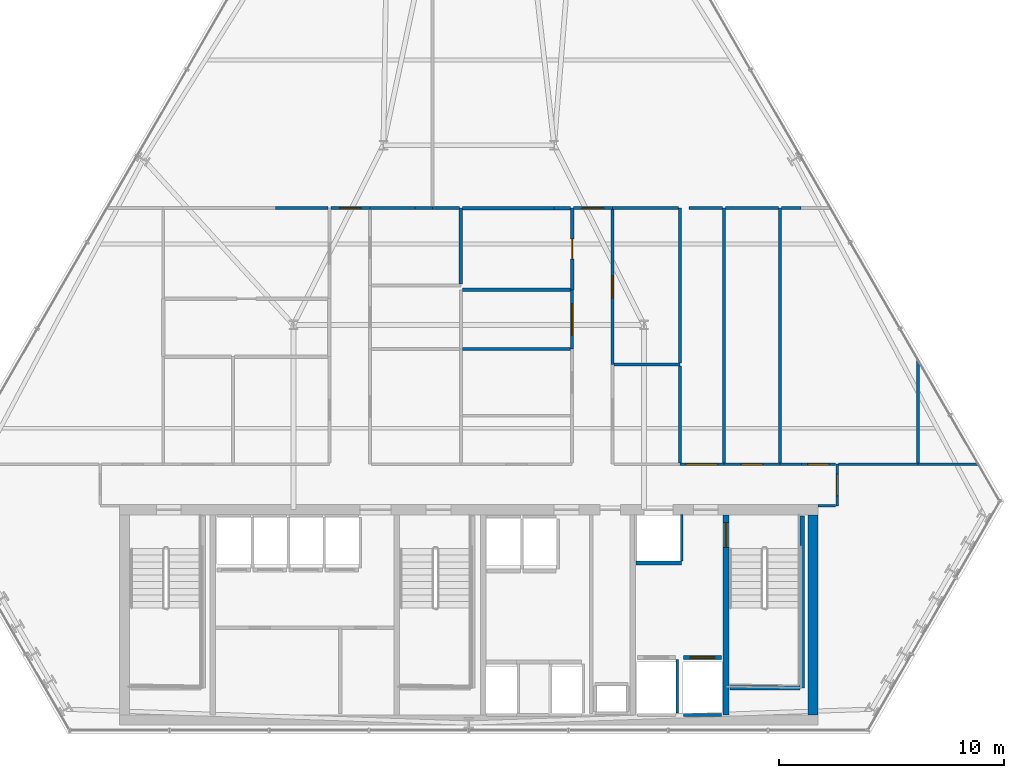
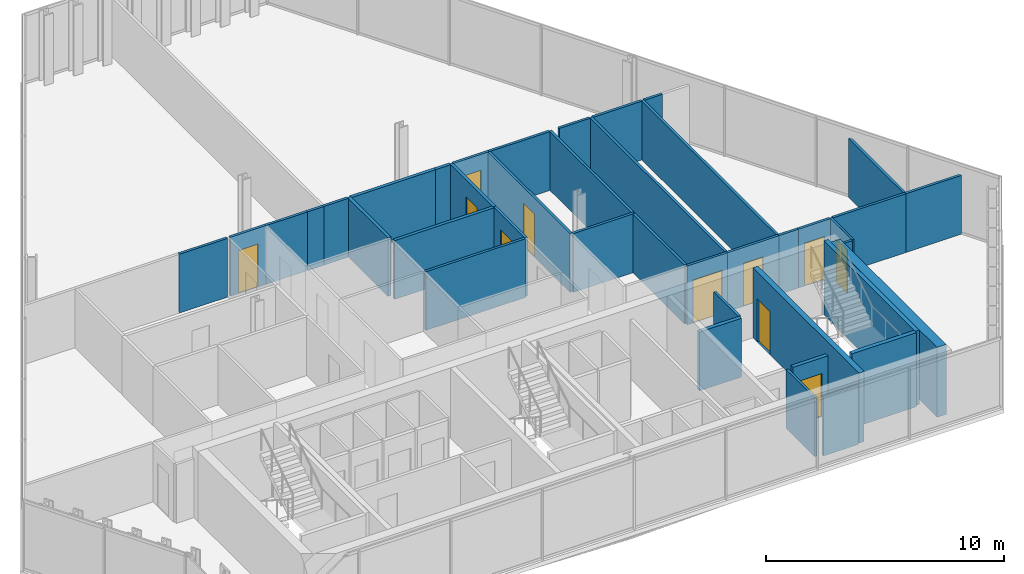
# One storey, part 27 of 31: 41 walls, 11 doors, 11 openings.
"""IFC4 building model written with IfcOpenShell, lengths in metres."""

import ifcopenshell
import ifcopenshell.guid

model = None  # the IFC model being written
_history = None  # IfcOwnerHistory: only IFC2X3 demands one
_inside = {}  # id of a spatial element -> (the spatial element, [elements in it])
_under = {}  # id of a project, library or spatial element -> (it, [spatial elements below it])
_declared = {}  # id of a project -> (the project, [libraries it declares])
_typed = {}  # id of a type object -> (the type object, [elements of that type])
_made_of = {}  # id of a material, layer set ... -> (it, [elements and type objects made of it])


def new_model(schema):
    """Start an empty IFC model of exactly this schema.

    Asked for "IFC4X3", IfcOpenShell would pick the latest addendum, in which some entities
    have other attributes; the version numbers below select the first issue.
    IFC2X3 requires an IfcOwnerHistory on every rooted entity: one is made here for all.
    """
    global model, _history
    if schema == "IFC4X3":
        model = ifcopenshell.file(schema_version=(4, 3, 0, 0))
    else:
        model = ifcopenshell.file(schema=schema)
    _inside.clear()
    _under.clear()
    _declared.clear()
    _typed.clear()
    _made_of.clear()
    _history = None
    if model.schema == "IFC2X3":
        org = make("IfcOrganization", Name="unknown")
        user = make(
            "IfcPersonAndOrganization",
            ThePerson=make("IfcPerson", FamilyName="unknown"),
            TheOrganization=org,
        )
        app = make(
            "IfcApplication",
            ApplicationDeveloper=org,
            Version="unknown",
            ApplicationFullName="unknown",
            ApplicationIdentifier="unknown",
        )
        _history = make(
            "IfcOwnerHistory",
            OwningUser=user,
            OwningApplication=app,
            ChangeAction="ADDED",
            CreationDate=0,
        )
    return model


def make(cls, **values):
    """One entity of the class cls with the attributes given. An attribute that is None is left unset."""
    return model.create_entity(
        cls, **{name: value for name, value in values.items() if value is not None}
    )


def rooted(cls, **values):
    """An entity with a GlobalId (a new one), such as an element, a storey or a relation."""
    return make(cls, GlobalId=ifcopenshell.guid.new(), OwnerHistory=_history, **values)


def si_unit(unit_type, name, prefix=None):
    """IfcSIUnit, for example si_unit("LENGTHUNIT", "METRE", prefix="MILLI")."""
    return make("IfcSIUnit", UnitType=unit_type, Prefix=prefix, Name=name)


def assignment(units):
    """IfcUnitAssignment: the units of a project."""
    return None if units is None else make("IfcUnitAssignment", Units=units)


def point(xyz):
    """IfcCartesianPoint."""
    return None if xyz is None else make("IfcCartesianPoint", Coordinates=xyz)


def direction(xyz):
    """IfcDirection."""
    return None if xyz is None else make("IfcDirection", DirectionRatios=xyz)


def frame(location, z_axis=None, x_axis=None):
    """IfcAxis2Placement3D, a coordinate frame: its origin and axes. An axis left out is left unset."""
    return make(
        "IfcAxis2Placement3D",
        Location=point(location),
        Axis=direction(z_axis),
        RefDirection=direction(x_axis),
    )


def frame_2d(location, x_axis=None):
    """IfcAxis2Placement2D, a coordinate frame in the plane: its origin and x axis."""
    return make(
        "IfcAxis2Placement2D", Location=point(location), RefDirection=direction(x_axis)
    )


def origin():
    """The frame at (0, 0, 0) with its axes left unset."""
    return frame((0.0, 0.0, 0.0))


def place(relative_to, where):
    """IfcLocalPlacement: puts the frame where relative to a parent placement (None: the world)."""
    return make(
        "IfcLocalPlacement", PlacementRelTo=relative_to, RelativePlacement=where
    )


def context(
    kind, dimensions, precision=None, world=None, true_north=None, identifier=None
):
    """IfcGeometricRepresentationContext, for example the 3D "Model" context."""
    return make(
        "IfcGeometricRepresentationContext",
        ContextIdentifier=identifier,
        ContextType=kind,
        CoordinateSpaceDimension=dimensions,
        Precision=precision,
        WorldCoordinateSystem=world,
        TrueNorth=true_north,
    )


def subcontext(parent, identifier, kind, view, scale=None):
    """IfcGeometricRepresentationSubContext, for example "Body" below "Model"."""
    return make(
        "IfcGeometricRepresentationSubContext",
        ContextIdentifier=identifier,
        ContextType=kind,
        ParentContext=parent,
        TargetScale=scale,
        TargetView=view,
    )


def project(units=None, contexts=None):
    """IfcProject with its units and contexts."""
    return rooted(
        "IfcProject",
        Name="project",
        RepresentationContexts=contexts,
        UnitsInContext=assignment(units),
    )


def spatial(cls, under=None, at=None, **own):
    """A site, building, storey or space (cls), placed at a placement, below another one or the project."""
    s = rooted(cls, ObjectPlacement=at, **own)
    if under is not None:
        _under.setdefault(under.id(), (under, []))[1].append(s)
    return s


def profile(cls, at=None, kind="AREA", **sizes):
    """A parametric profile (cls). Its sizes go by their IFC names, for example OverallWidth=200.0."""
    return make(cls, ProfileType=kind, Position=at, **sizes)


def rectangle(**sizes):
    """IfcRectangleProfileDef."""
    return profile("IfcRectangleProfileDef", **sizes)


def extrude(swept, where, along, depth):
    """IfcExtrudedAreaSolid: the profile swept, set in the frame where, extruded along a direction by depth."""
    return make(
        "IfcExtrudedAreaSolid",
        SweptArea=swept,
        Position=where,
        ExtrudedDirection=direction(along),
        Depth=depth,
    )


def shape(context_of_items, identifier, shape_type, items):
    """IfcShapeRepresentation: the items that make up one representation, for example the "Body"."""
    return make(
        "IfcShapeRepresentation",
        ContextOfItems=context_of_items,
        RepresentationIdentifier=identifier,
        RepresentationType=shape_type,
        Items=items,
    )


def material(Name=None, Category=None):
    """IfcMaterial."""
    return make("IfcMaterial", Name=Name, Category=Category)


def layer(
    of_material, thickness, ventilated=None, Name=None, Category=None, Priority=None
):
    """IfcMaterialLayer: one layer of a wall or slab, of a material (None: an air gap)."""
    return make(
        "IfcMaterialLayer",
        Material=of_material,
        LayerThickness=thickness,
        IsVentilated=ventilated,
        Name=Name,
        Category=Category,
        Priority=Priority,
    )


def layer_set(layers, Name=None):
    """IfcMaterialLayerSet."""
    return make("IfcMaterialLayerSet", MaterialLayers=layers, LayerSetName=Name)


def made_of(thing, what):
    """Note that an element or type object is made of a material, layer set ...; save() writes the relation."""
    if what is not None:
        _made_of.setdefault(what.id(), (what, []))[1].append(thing)
    return thing


def type_object(cls, material=None, **own):
    """A type object (cls), such as IfcWallType, which elements share."""
    return made_of(rooted(cls, **own), material)


def element(
    cls,
    number,
    at=None,
    inside=None,
    cuts=None,
    type_object=None,
    material=None,
    context=None,
    identifier="Body",
    shape_type=None,
    held_by="IfcProductDefinitionShape",
    body=None,
    shapes=None,
    **own,
):
    """One element of the class cls, such as IfcWall. Its Tag is "e" and its number.

    at: its placement. inside: the storey or other place that contains it. cuts: it is an
    opening in that element (IfcRelVoidsElement). A single representation is given by context,
    identifier, shape_type and body (its items); several are given by shapes. held_by: the class
    of the entity that holds the representations. save() writes the other relations.
    """
    e = rooted(cls, Tag="e%d" % number, ObjectPlacement=at, **own)
    if body is not None:
        shapes = [shape(context, identifier, shape_type, body)]
    if shapes is not None:
        e.Representation = make(held_by, Representations=shapes)
    if inside is not None:
        _inside.setdefault(inside.id(), (inside, []))[1].append(e)
    if cuts is not None:
        rooted(
            "IfcRelVoidsElement", RelatingBuildingElement=cuts, RelatedOpeningElement=e
        )
    if type_object is not None:
        _typed.setdefault(type_object.id(), (type_object, []))[1].append(e)
    return made_of(e, material)


def fill(opening, filler):
    """IfcRelFillsElement: the door or window that sits in an opening."""
    return rooted(
        "IfcRelFillsElement",
        RelatingOpeningElement=opening,
        RelatedBuildingElement=filler,
    )


def aggregate(whole, parts):
    """IfcRelAggregates: a whole, such as a stair, and the parts it consists of."""
    return rooted("IfcRelAggregates", RelatingObject=whole, RelatedObjects=parts)


def save(model, path):
    """Write the relations noted so far, then the file.

    IfcRelAggregates (storeys below a building ...), IfcRelContainedInSpatialStructure (elements
    in a storey), IfcRelDefinesByType, IfcRelAssociatesMaterial and IfcRelDeclares: one each for
    every whole, place, type object, material and project.
    """
    for whole, parts in _under.values():
        aggregate(whole, parts)
    for where, things in _inside.values():
        rooted(
            "IfcRelContainedInSpatialStructure",
            RelatedElements=things,
            RelatingStructure=where,
        )
    for kind, things in _typed.values():
        rooted("IfcRelDefinesByType", RelatedObjects=things, RelatingType=kind)
    for what, things in _made_of.values():
        rooted("IfcRelAssociatesMaterial", RelatedObjects=things, RelatingMaterial=what)
    for by, libraries in _declared.values():
        rooted("IfcRelDeclares", RelatingContext=by, RelatedDefinitions=libraries)
    model.write(path)


model = new_model("IFC4")

# Units and contexts
model_context = context("Model", 3, precision=1e-05, world=origin(), true_north=direction((0.0, 1.0)))
body_context = subcontext(model_context, "Body", "Model", "MODEL_VIEW")
ifc_project = project(units=[si_unit("LENGTHUNIT", "METRE"), si_unit("AREAUNIT", "SQUARE_METRE"), si_unit("VOLUMEUNIT", "CUBIC_METRE"), si_unit("PLANEANGLEUNIT", "RADIAN"), si_unit("MASSUNIT", "GRAM", prefix="KILO")], contexts=[model_context])

# Site, building, storey
site_placement = place(None, origin())
site = spatial("IfcSite", under=ifc_project, at=site_placement, CompositionType="ELEMENT")
building_placement = place(site_placement, origin())
building = spatial("IfcBuilding", under=site, at=building_placement, Name="Ndaravel Arena Tower", CompositionType="ELEMENT")
storey_placement = place(building_placement, frame((0.0, 0.0, 142.199951171875)))
storey = spatial("IfcBuildingStorey", under=building, at=storey_placement, Name="L33", CompositionType="ELEMENT", Elevation=142.199951171875)

# Wall, opening, door
ifc_material_1 = material(Name="Concrete C60/75", Category="concrete")
ifc_layer_1 = layer(ifc_material_1, 0.25)
ifc_layer_set_1 = layer_set([ifc_layer_1], Name="Concrete C60/75")
wall_type_1 = type_object("IfcWallType", Name="WALL-CORE-250", PredefinedType="SOLIDWALL", material=ifc_layer_set_1)
wall_1_placement = place(storey_placement, frame((53.449951171875, 5.85009765625, 0.0), z_axis=(0.0, 0.0, 1.0), x_axis=(0.0, 1.0, 0.0)))
wall_1 = element("IfcWall", 1, at=wall_1_placement, inside=storey, type_object=wall_type_1, Name="L33 Core Web Shear Wall 5", PredefinedType="SOLIDWALL", context=body_context, shape_type="SweptSolid", body=[
    extrude(rectangle(XDim=8.89990234375, YDim=0.25, at=frame_2d((4.449951171875, 0.0))), origin(), (0.0, 0.0, 1.0), 3.580078125),
])
opening_1_placement = place(wall_1_placement, frame((7.449951171875, 0.0, 0.0)))
opening_1 = element("IfcOpeningElement", 2, at=opening_1_placement, cuts=wall_1, Name="Opening FD-01", PredefinedType="OPENING", context=body_context, shape_type="SweptSolid", body=[
    extrude(rectangle(XDim=1.10009765625, YDim=2.199951171875, at=frame_2d((0.550048828125, 1.10009765625))), frame((0.0, 0.125, 0.0), z_axis=(0.0, -1.0, 0.0), x_axis=(1.0, 0.0, 0.0)), (0.0, 0.0, 1.0), 0.25),
])
ifc_material_2 = material(Name="Steel S355", Category="steel")
door_type_1 = type_object("IfcDoorType", Name="DT-01-STAIR-1100", OperationType="SINGLE_SWING_LEFT", PredefinedType="DOOR", material=ifc_material_2)
door_1_placement = place(opening_1_placement, origin())
door_1 = element("IfcDoor", 3, at=door_1_placement, inside=storey, type_object=door_type_1, Name="L33 Firefighting Lobby to ST-3 Door", OperationType="SINGLE_SWING_LEFT", OverallHeight=2.199951171875, OverallWidth=1.10009765625, PredefinedType="DOOR", context=body_context, shape_type="SweptSolid", body=[
    extrude(rectangle(XDim=1.10009765625, YDim=2.199951171875, at=frame_2d((0.550048828125, 1.10009765625))), frame((0.0, 0.02490234375, 0.0), z_axis=(0.0, -1.0, 0.0), x_axis=(1.0, 0.0, 0.0)), (0.0, 0.0, 1.0), 0.050048828125),
])
fill(opening_1, door_1)

# Wall
ifc_material_3 = material(Name="Concrete C60/75", Category="concrete")
ifc_layer_2 = layer(ifc_material_3, 0.449951171875)
ifc_layer_set_2 = layer_set([ifc_layer_2], Name="Concrete C60/75")
wall_type_2 = type_object("IfcWallType", Name="WALL-CORE-450", PredefinedType="SOLIDWALL", material=ifc_layer_set_2)
wall_2_placement = place(storey_placement, frame((57.324951171875, 5.85009765625, 0.0), z_axis=(0.0, 0.0, 1.0), x_axis=(0.0, 1.0, 0.0)))
element("IfcWall", 4, at=wall_2_placement, inside=storey, type_object=wall_type_2, Name="L33 Core East Shear Wall", PredefinedType="SOLIDWALL", context=body_context, shape_type="SweptSolid", body=[
    extrude(rectangle(XDim=8.89990234375, YDim=0.449951171875, at=frame_2d((4.449951171875, 0.0))), origin(), (0.0, 0.0, 1.0), 3.580078125),
])

# Wall, opening, door
ifc_material_4 = material(Name="Timber", Category="wood")
ifc_layer_3 = layer(ifc_material_4, 0.10009765625)
ifc_layer_set_3 = layer_set([ifc_layer_3], Name="Timber")
wall_type_3 = type_object("IfcWallType", Name="WALL-MOVABLE-100", PredefinedType="MOVABLE", material=ifc_layer_set_3)
wall_3_placement = place(storey_placement, frame((58.39990234375, 17.0, 0.0), z_axis=(0.0, 0.0, 1.0), x_axis=(0.0, -1.0, 0.0)))
wall_3 = element("IfcWall", 5, at=wall_3_placement, inside=storey, type_object=wall_type_3, Name="L33 Interior Partition 001", PredefinedType="MOVABLE", context=body_context, shape_type="SweptSolid", body=[
    extrude(rectangle(XDim=1.85009765625, YDim=0.10009765625, at=frame_2d((0.925048828125, 0.0))), origin(), (0.0, 0.0, 1.0), 3.010498046875),
])
opening_2_placement = place(wall_3_placement, frame((0.449951171875, 0.0, 0.0)))
opening_2 = element("IfcOpeningElement", 6, at=opening_2_placement, cuts=wall_3, Name="Opening ID-01", PredefinedType="OPENING", context=body_context, shape_type="SweptSolid", body=[
    extrude(rectangle(XDim=0.949951171875, YDim=2.199951171875, at=frame_2d((0.47509765625, 1.10009765625))), frame((0.0, 0.050048828125, 0.0), z_axis=(0.0, -1.0, 0.0), x_axis=(1.0, 0.0, 0.0)), (0.0, 0.0, 1.0), 0.10009765625),
])
ifc_material_5 = material(Name="Timber", Category="wood")
door_type_2 = type_object("IfcDoorType", Name="DT-03-OFFICE-950", OperationType="SINGLE_SWING_LEFT", PredefinedType="DOOR", material=ifc_material_5)
door_2_placement = place(opening_2_placement, origin())
door_2 = element("IfcDoor", 7, at=door_2_placement, inside=storey, type_object=door_type_2, Name="L33 Quiet Reading Library Door", OperationType="SINGLE_SWING_LEFT", OverallHeight=2.199951171875, OverallWidth=0.949951171875, PredefinedType="DOOR", context=body_context, shape_type="SweptSolid", body=[
    extrude(rectangle(XDim=0.949951171875, YDim=2.199951171875, at=frame_2d((0.47509765625, 1.10009765625))), frame((0.0, 0.02490234375, 0.0), z_axis=(0.0, -1.0, 0.0), x_axis=(1.0, 0.0, 0.0)), (0.0, 0.0, 1.0), 0.050048828125),
])
fill(opening_2, door_2)

# Wall
ifc_material_6 = material(Name="Gypsum", Category="gypsum")
ifc_layer_4 = layer(ifc_material_6, 0.125)
ifc_layer_set_4 = layer_set([ifc_layer_4], Name="Gypsum")
wall_type_4 = type_object("IfcWallType", Name="WALL-PART-125", PredefinedType="PARTITIONING", material=ifc_layer_set_4)
wall_4_placement = place(storey_placement, frame((58.3349609375, 15.14990234375, 0.0), z_axis=(0.0, 0.0, 1.0), x_axis=(-1.0, 0.0, 0.0)))
element("IfcWall", 8, at=wall_4_placement, inside=storey, type_object=wall_type_4, Name="L33 Interior Partition 002", PredefinedType="PARTITIONING", context=body_context, shape_type="SweptSolid", body=[
    extrude(rectangle(XDim=0.784912109375, YDim=0.125, at=frame_2d((0.392578125, 0.0))), origin(), (0.0, 0.0, 1.0), 3.010498046875),
])

# Wall, opening, door
wall_5_placement = place(storey_placement, frame((35.864990234375, 28.39990234375, 0.0), z_axis=(0.0, 0.0, 1.0), x_axis=(1.0, 0.0, 0.0)))
wall_5 = element("IfcWall", 9, at=wall_5_placement, inside=storey, type_object=wall_type_4, Name="L33 Interior Partition 011", PredefinedType="PARTITIONING", context=body_context, shape_type="SweptSolid", body=[
    extrude(rectangle(XDim=1.735107421875, YDim=0.125, at=frame_2d((0.86767578125, 0.0))), origin(), (0.0, 0.0, 1.0), 3.010498046875),
])
opening_3_placement = place(wall_5_placement, frame((0.392578125, 0.0, 0.0)))
opening_3 = element("IfcOpeningElement", 10, at=opening_3_placement, cuts=wall_5, Name="Opening ID-01", PredefinedType="OPENING", context=body_context, shape_type="SweptSolid", body=[
    extrude(rectangle(XDim=0.949951171875, YDim=2.199951171875, at=frame_2d((0.47509765625, 1.10009765625))), frame((0.0, 0.0625, 0.0), z_axis=(0.0, -1.0, 0.0), x_axis=(1.0, 0.0, 0.0)), (0.0, 0.0, 1.0), 0.125),
])
door_3_placement = place(opening_3_placement, origin())
door_3 = element("IfcDoor", 11, at=door_3_placement, inside=storey, type_object=door_type_2, Name="L33 Design Workshop 8 Door", OperationType="SINGLE_SWING_LEFT", OverallHeight=2.199951171875, OverallWidth=0.949951171875, PredefinedType="DOOR", context=body_context, shape_type="SweptSolid", body=[
    extrude(rectangle(XDim=0.949951171875, YDim=2.199951171875, at=frame_2d((0.47509765625, 1.10009765625))), frame((0.0, 0.02490234375, 0.0), z_axis=(0.0, -1.0, 0.0), x_axis=(1.0, 0.0, 0.0)), (0.0, 0.0, 1.0), 0.050048828125),
])
fill(opening_3, door_3)

wall_6_placement = place(storey_placement, frame((46.60009765625, 22.1298828125, 0.0), z_axis=(0.0, 0.0, 1.0), x_axis=(0.0, 1.0, 0.0)))
wall_6 = element("IfcWall", 12, at=wall_6_placement, inside=storey, type_object=wall_type_4, Name="L33 Interior Partition 019", PredefinedType="PARTITIONING", context=body_context, shape_type="SweptSolid", body=[
    extrude(rectangle(XDim=2.633544921875, YDim=0.125, at=frame_2d((1.31689453125, 0.0))), origin(), (0.0, 0.0, 1.0), 3.010498046875),
])
opening_4_placement = place(wall_6_placement, frame((0.61669921875, 0.0, 0.0)))
opening_4 = element("IfcOpeningElement", 13, at=opening_4_placement, cuts=wall_6, Name="Opening ID-02", PredefinedType="OPENING", context=body_context, shape_type="SweptSolid", body=[
    extrude(rectangle(XDim=1.39990234375, YDim=2.199951171875, at=frame_2d((0.699951171875, 1.10009765625))), frame((0.0, 0.0625, 0.0), z_axis=(0.0, -1.0, 0.0), x_axis=(1.0, 0.0, 0.0)), (0.0, 0.0, 1.0), 0.125),
])
ifc_material_7 = material(Name="Timber", Category="wood")
door_type_3 = type_object("IfcDoorType", Name="DT-04-SUITE-1400", OperationType="DOUBLE_DOOR_SINGLE_SWING", PredefinedType="DOOR", material=ifc_material_7)
door_4_placement = place(opening_4_placement, origin())
door_4 = element("IfcDoor", 14, at=door_4_placement, inside=storey, type_object=door_type_3, Name="L33 Client Conference Room 6 Door", OperationType="SINGLE_SWING_LEFT", OverallHeight=2.199951171875, OverallWidth=1.39990234375, PredefinedType="DOOR", context=body_context, shape_type="SweptSolid", body=[
    extrude(rectangle(XDim=1.39990234375, YDim=2.199951171875, at=frame_2d((0.699951171875, 1.10009765625))), frame((0.0, 0.02490234375, 0.0), z_axis=(0.0, -1.0, 0.0), x_axis=(1.0, 0.0, 0.0)), (0.0, 0.0, 1.0), 0.050048828125),
])
fill(opening_4, door_4)

wall_7_placement = place(storey_placement, frame((46.6650390625, 28.39990234375, 0.0), z_axis=(0.0, 0.0, 1.0), x_axis=(1.0, 0.0, 0.0)))
wall_7 = element("IfcWall", 15, at=wall_7_placement, inside=storey, type_object=wall_type_4, Name="L33 Interior Partition 021", PredefinedType="PARTITIONING", context=body_context, shape_type="SweptSolid", body=[
    extrude(rectangle(XDim=1.73486328125, YDim=0.125, at=frame_2d((0.867431640625, 0.0))), origin(), (0.0, 0.0, 1.0), 3.010498046875),
])
opening_5_placement = place(wall_7_placement, frame((0.392578125, 0.0, 0.0)))
opening_5 = element("IfcOpeningElement", 16, at=opening_5_placement, cuts=wall_7, Name="Opening ID-01", PredefinedType="OPENING", context=body_context, shape_type="SweptSolid", body=[
    extrude(rectangle(XDim=0.949951171875, YDim=2.199951171875, at=frame_2d((0.47509765625, 1.10009765625))), frame((0.0, 0.0625, 0.0), z_axis=(0.0, -1.0, 0.0), x_axis=(1.0, 0.0, 0.0)), (0.0, 0.0, 1.0), 0.125),
])
door_5_placement = place(opening_5_placement, origin())
door_5 = element("IfcDoor", 17, at=door_5_placement, inside=storey, type_object=door_type_2, Name="L33 Executive Boardroom 9 Door", OperationType="SINGLE_SWING_RIGHT", OverallHeight=2.199951171875, OverallWidth=0.949951171875, PredefinedType="DOOR", context=body_context, shape_type="SweptSolid", body=[
    extrude(rectangle(XDim=0.949951171875, YDim=2.199951171875, at=frame_2d((0.47509765625, 1.10009765625))), frame((0.0, 0.02490234375, 0.0), z_axis=(0.0, -1.0, 0.0), x_axis=(1.0, 0.0, 0.0)), (0.0, 0.0, 1.0), 0.050048828125),
])
fill(opening_5, door_5)

wall_8_placement = place(storey_placement, frame((48.39990234375, 28.3349609375, 0.0), z_axis=(0.0, 0.0, 1.0), x_axis=(0.0, -1.0, 0.0)))
wall_8 = element("IfcWall", 18, at=wall_8_placement, inside=storey, type_object=wall_type_4, Name="L33 Interior Partition 022", PredefinedType="PARTITIONING", context=body_context, shape_type="SweptSolid", body=[
    extrude(rectangle(XDim=6.888916015625, YDim=0.125, at=frame_2d((3.4443359375, 0.0))), origin(), (0.0, 0.0, 1.0), 3.010498046875),
])
opening_6_placement = place(wall_8_placement, frame((2.969482421875, 0.0, 0.0)))
opening_6 = element("IfcOpeningElement", 19, at=opening_6_placement, cuts=wall_8, Name="Opening ID-01", PredefinedType="OPENING", context=body_context, shape_type="SweptSolid", body=[
    extrude(rectangle(XDim=0.949951171875, YDim=2.199951171875, at=frame_2d((0.47509765625, 1.10009765625))), frame((0.0, 0.0625, 0.0), z_axis=(0.0, -1.0, 0.0), x_axis=(1.0, 0.0, 0.0)), (0.0, 0.0, 1.0), 0.125),
])
door_6_placement = place(opening_6_placement, origin())
door_6 = element("IfcDoor", 20, at=door_6_placement, inside=storey, type_object=door_type_2, Name="L33 Project Seminar Room 7 Door", OperationType="SINGLE_SWING_LEFT", OverallHeight=2.199951171875, OverallWidth=0.949951171875, PredefinedType="DOOR", context=body_context, shape_type="SweptSolid", body=[
    extrude(rectangle(XDim=0.949951171875, YDim=2.199951171875, at=frame_2d((0.47509765625, 1.10009765625))), frame((0.0, 0.02490234375, 0.0), z_axis=(0.0, -1.0, 0.0), x_axis=(1.0, 0.0, 0.0)), (0.0, 0.0, 1.0), 0.050048828125),
])
fill(opening_6, door_6)

wall_9_placement = place(storey_placement, frame((51.39990234375, 17.0, 0.0), z_axis=(0.0, 0.0, 1.0), x_axis=(1.0, 0.0, 0.0)))
wall_9 = element("IfcWall", 21, at=wall_9_placement, inside=storey, type_object=wall_type_4, Name="L33 Interior Partition 025", PredefinedType="PARTITIONING", context=body_context, shape_type="SweptSolid", body=[
    extrude(rectangle(XDim=1.958984375, YDim=0.125, at=frame_2d((0.9794921875, 0.0))), origin(), (0.0, 0.0, 1.0), 3.010498046875),
])
opening_7_placement = place(wall_9_placement, frame((0.279296875, 0.0, 0.0)))
opening_7 = element("IfcOpeningElement", 22, at=opening_7_placement, cuts=wall_9, Name="Opening ID-02", PredefinedType="OPENING", context=body_context, shape_type="SweptSolid", body=[
    extrude(rectangle(XDim=1.39990234375, YDim=2.199951171875, at=frame_2d((0.699951171875, 1.10009765625))), frame((0.0, 0.0625, 0.0), z_axis=(0.0, -1.0, 0.0), x_axis=(1.0, 0.0, 0.0)), (0.0, 0.0, 1.0), 0.125),
])
door_7_placement = place(opening_7_placement, origin())
door_7 = element("IfcDoor", 23, at=door_7_placement, inside=storey, type_object=door_type_3, Name="L33 Executive Boardroom 5 Door", OperationType="SINGLE_SWING_RIGHT", OverallHeight=2.199951171875, OverallWidth=1.39990234375, PredefinedType="DOOR", context=body_context, shape_type="SweptSolid", body=[
    extrude(rectangle(XDim=1.39990234375, YDim=2.199951171875, at=frame_2d((0.699951171875, 1.10009765625))), frame((0.0, 0.02490234375, 0.0), z_axis=(0.0, -1.0, 0.0), x_axis=(1.0, 0.0, 0.0)), (0.0, 0.0, 1.0), 0.050048828125),
])
fill(opening_7, door_7)

wall_10_placement = place(storey_placement, frame((53.35888671875, 17.0, 0.0), z_axis=(0.0, 0.0, 1.0), x_axis=(1.0, 0.0, 0.0)))
wall_10 = element("IfcWall", 24, at=wall_10_placement, inside=storey, type_object=wall_type_4, Name="L33 Interior Partition 026", PredefinedType="PARTITIONING", context=body_context, shape_type="SweptSolid", body=[
    extrude(rectangle(XDim=2.4931640625, YDim=0.125, at=frame_2d((1.24658203125, 0.0))), origin(), (0.0, 0.0, 1.0), 3.010498046875),
])
opening_8_placement = place(wall_10_placement, frame((0.771484375, 0.0, 0.0)))
opening_8 = element("IfcOpeningElement", 25, at=opening_8_placement, cuts=wall_10, Name="Opening ID-01", PredefinedType="OPENING", context=body_context, shape_type="SweptSolid", body=[
    extrude(rectangle(XDim=0.949951171875, YDim=2.199951171875, at=frame_2d((0.47509765625, 1.10009765625))), frame((0.0, 0.0625, 0.0), z_axis=(0.0, -1.0, 0.0), x_axis=(1.0, 0.0, 0.0)), (0.0, 0.0, 1.0), 0.125),
])
door_8_placement = place(opening_8_placement, origin())
door_8 = element("IfcDoor", 26, at=door_8_placement, inside=storey, type_object=door_type_2, Name="L33 Quiet Reading Library 5 Door", OperationType="SINGLE_SWING_LEFT", OverallHeight=2.199951171875, OverallWidth=0.949951171875, PredefinedType="DOOR", context=body_context, shape_type="SweptSolid", body=[
    extrude(rectangle(XDim=0.949951171875, YDim=2.199951171875, at=frame_2d((0.47509765625, 1.10009765625))), frame((0.0, 0.02490234375, 0.0), z_axis=(0.0, -1.0, 0.0), x_axis=(1.0, 0.0, 0.0)), (0.0, 0.0, 1.0), 0.050048828125),
])
fill(opening_8, door_8)

# Wall
wall_11_placement = place(storey_placement, frame((55.85205078125, 17.0, 0.0), z_axis=(0.0, 0.0, 1.0), x_axis=(1.0, 0.0, 0.0)))
element("IfcWall", 27, at=wall_11_placement, inside=storey, type_object=wall_type_4, Name="L33 Interior Partition 027", PredefinedType="PARTITIONING", context=body_context, shape_type="SweptSolid", body=[
    extrude(rectangle(XDim=0.947998046875, YDim=0.125, at=frame_2d((0.47412109375, 0.0))), origin(), (0.0, 0.0, 1.0), 3.010498046875),
])

# Wall, opening, door
wall_12_placement = place(storey_placement, frame((56.800048828125, 17.0, 0.0), z_axis=(0.0, 0.0, 1.0), x_axis=(1.0, 0.0, 0.0)))
wall_12 = element("IfcWall", 28, at=wall_12_placement, inside=storey, type_object=wall_type_4, Name="L33 Interior Partition 028", PredefinedType="PARTITIONING", context=body_context, shape_type="SweptSolid", body=[
    extrude(rectangle(XDim=1.534912109375, YDim=0.125, at=frame_2d((0.767578125, 0.0))), origin(), (0.0, 0.0, 1.0), 3.010498046875),
])
opening_9_placement = place(wall_12_placement, frame((0.29248046875, 0.0, 0.0)))
opening_9 = element("IfcOpeningElement", 29, at=opening_9_placement, cuts=wall_12, Name="Opening ID-01", PredefinedType="OPENING", context=body_context, shape_type="SweptSolid", body=[
    extrude(rectangle(XDim=0.949951171875, YDim=2.199951171875, at=frame_2d((0.47509765625, 1.10009765625))), frame((0.0, 0.0625, 0.0), z_axis=(0.0, -1.0, 0.0), x_axis=(1.0, 0.0, 0.0)), (0.0, 0.0, 1.0), 0.125),
])
door_9_placement = place(opening_9_placement, origin())
door_9 = element("IfcDoor", 30, at=door_9_placement, inside=storey, type_object=door_type_2, Name="L33 Design Workshop 4 Door", OperationType="SINGLE_SWING_LEFT", OverallHeight=2.199951171875, OverallWidth=0.949951171875, PredefinedType="DOOR", context=body_context, shape_type="SweptSolid", body=[
    extrude(rectangle(XDim=0.949951171875, YDim=2.199951171875, at=frame_2d((0.47509765625, 1.10009765625))), frame((0.0, 0.02490234375, 0.0), z_axis=(0.0, -1.0, 0.0), x_axis=(1.0, 0.0, 0.0)), (0.0, 0.0, 1.0), 0.050048828125),
])
fill(opening_9, door_9)

# Walls
wall_13_placement = place(storey_placement, frame((58.465087890625, 17.0, 0.0), z_axis=(0.0, 0.0, 1.0), x_axis=(1.0, 0.0, 0.0)))
element("IfcWall", 31, at=wall_13_placement, inside=storey, type_object=wall_type_4, Name="L33 Interior Partition 030", PredefinedType="PARTITIONING", context=body_context, shape_type="SweptSolid", body=[
    extrude(rectangle(XDim=3.534912109375, YDim=0.125, at=frame_2d((1.767578125, 0.0))), origin(), (0.0, 0.0, 1.0), 3.010498046875),
])
wall_14_placement = place(storey_placement, frame((62.0, 17.0, 0.0), z_axis=(0.0, 0.0, 1.0), x_axis=(1.0, 0.0, 0.0)))
element("IfcWall", 32, at=wall_14_placement, inside=storey, type_object=wall_type_4, Name="L33 Interior Partition 031", PredefinedType="PARTITIONING", context=body_context, shape_type="SweptSolid", body=[
    extrude(rectangle(XDim=2.68310546875, YDim=0.125, at=frame_2d((1.341552734375, 0.0))), origin(), (0.0, 0.0, 1.0), 3.010498046875),
])
wall_15_placement = place(storey_placement, frame((48.465087890625, 21.446044921875, 0.0), z_axis=(0.0, 0.0, 1.0), x_axis=(1.0, 0.0, 0.0)))
element("IfcWall", 33, at=wall_15_placement, inside=storey, type_object=wall_type_4, Name="L33 Interior Partition 034", PredefinedType="PARTITIONING", context=body_context, shape_type="SweptSolid", body=[
    extrude(rectangle(XDim=2.934814453125, YDim=0.125, at=frame_2d((1.46728515625, 0.0))), origin(), (0.0, 0.0, 1.0), 3.010498046875),
])
wall_16_placement = place(storey_placement, frame((51.39990234375, 21.381103515625, 0.0), z_axis=(0.0, 0.0, 1.0), x_axis=(0.0, -1.0, 0.0)))
element("IfcWall", 34, at=wall_16_placement, inside=storey, type_object=wall_type_4, Name="L33 Interior Partition 035", PredefinedType="PARTITIONING", context=body_context, shape_type="SweptSolid", body=[
    extrude(rectangle(XDim=4.316162109375, YDim=0.125, at=frame_2d((2.158203125, 0.0))), origin(), (0.0, 0.0, 1.0), 3.010498046875),
])
wall_17_placement = place(storey_placement, frame((41.715087890625, 22.1298828125, 0.0), z_axis=(0.0, 0.0, 1.0), x_axis=(1.0, 0.0, 0.0)))
element("IfcWall", 35, at=wall_17_placement, inside=storey, type_object=wall_type_4, Name="L33 Interior Partition 042", PredefinedType="PARTITIONING", context=body_context, shape_type="SweptSolid", body=[
    extrude(rectangle(XDim=4.81982421875, YDim=0.125, at=frame_2d((2.409912109375, 0.0))), origin(), (0.0, 0.0, 1.0), 3.010498046875),
])
wall_18_placement = place(storey_placement, frame((62.0, 21.647216796875, 0.0), z_axis=(0.0, 0.0, 1.0), x_axis=(0.0, -1.0, 0.0)))
element("IfcWall", 36, at=wall_18_placement, inside=storey, type_object=wall_type_4, Name="L33 Interior Partition 047", PredefinedType="PARTITIONING", context=body_context, shape_type="SweptSolid", body=[
    extrude(rectangle(XDim=4.582275390625, YDim=0.125, at=frame_2d((2.291015625, 0.0))), origin(), (0.0, 0.0, 1.0), 3.010498046875),
])
wall_19_placement = place(storey_placement, frame((55.85205078125, 17.06494140625, 0.0), z_axis=(0.0, 0.0, 1.0), x_axis=(0.0, 1.0, 0.0)))
element("IfcWall", 37, at=wall_19_placement, inside=storey, type_object=wall_type_4, Name="L33 Interior Partition 048", PredefinedType="PARTITIONING", context=body_context, shape_type="SweptSolid", body=[
    extrude(rectangle(XDim=11.3349609375, YDim=0.125, at=frame_2d((5.66748046875, 0.0))), origin(), (0.0, 0.0, 1.0), 3.010498046875),
])
wall_20_placement = place(storey_placement, frame((55.9169921875, 28.39990234375, 0.0), z_axis=(0.0, 0.0, 1.0), x_axis=(1.0, 0.0, 0.0)))
element("IfcWall", 38, at=wall_20_placement, inside=storey, type_object=wall_type_4, Name="L33 Interior Partition 049", PredefinedType="PARTITIONING", context=body_context, shape_type="SweptSolid", body=[
    extrude(rectangle(XDim=0.883056640625, YDim=0.125, at=frame_2d((0.44140625, 0.0))), origin(), (0.0, 0.0, 1.0), 3.010498046875),
])
wall_21_placement = place(storey_placement, frame((53.35888671875, 28.39990234375, 0.0), z_axis=(0.0, 0.0, 1.0), x_axis=(0.0, -1.0, 0.0)))
element("IfcWall", 39, at=wall_21_placement, inside=storey, type_object=wall_type_4, Name="L33 Interior Partition 050", PredefinedType="PARTITIONING", context=body_context, shape_type="SweptSolid", body=[
    extrude(rectangle(XDim=11.3349609375, YDim=0.125, at=frame_2d((5.66748046875, 0.0))), origin(), (0.0, 0.0, 1.0), 3.010498046875),
])
wall_22_placement = place(storey_placement, frame((51.39990234375, 21.510986328125, 0.0), z_axis=(0.0, 0.0, 1.0), x_axis=(0.0, 1.0, 0.0)))
element("IfcWall", 40, at=wall_22_placement, inside=storey, type_object=wall_type_4, Name="L33 Interior Partition 051", PredefinedType="PARTITIONING", context=body_context, shape_type="SweptSolid", body=[
    extrude(rectangle(XDim=6.888916015625, YDim=0.125, at=frame_2d((3.4443359375, 0.0))), origin(), (0.0, 0.0, 1.0), 3.010498046875),
])
wall_23_placement = place(storey_placement, frame((51.800048828125, 28.39990234375, 0.0), z_axis=(0.0, 0.0, 1.0), x_axis=(1.0, 0.0, 0.0)))
element("IfcWall", 41, at=wall_23_placement, inside=storey, type_object=wall_type_4, Name="L33 Interior Partition 052", PredefinedType="PARTITIONING", context=body_context, shape_type="SweptSolid", body=[
    extrude(rectangle(XDim=1.493896484375, YDim=0.125, at=frame_2d((0.7470703125, 0.0))), origin(), (0.0, 0.0, 1.0), 3.010498046875),
])
wall_24_placement = place(storey_placement, frame((53.423828125, 28.39990234375, 0.0), z_axis=(0.0, 0.0, 1.0), x_axis=(1.0, 0.0, 0.0)))
element("IfcWall", 42, at=wall_24_placement, inside=storey, type_object=wall_type_4, Name="L33 Interior Partition 053", PredefinedType="PARTITIONING", context=body_context, shape_type="SweptSolid", body=[
    extrude(rectangle(XDim=2.36328125, YDim=0.125, at=frame_2d((1.181640625, 0.0))), origin(), (0.0, 0.0, 1.0), 3.010498046875),
])
wall_25_placement = place(storey_placement, frame((48.39990234375, 28.39990234375, 0.0), z_axis=(0.0, 0.0, 1.0), x_axis=(1.0, 0.0, 0.0)))
element("IfcWall", 43, at=wall_25_placement, inside=storey, type_object=wall_type_4, Name="L33 Interior Partition 058", PredefinedType="PARTITIONING", context=body_context, shape_type="SweptSolid", body=[
    extrude(rectangle(XDim=2.93505859375, YDim=0.125, at=frame_2d((1.467529296875, 0.0))), origin(), (0.0, 0.0, 1.0), 3.010498046875),
])
wall_26_placement = place(storey_placement, frame((33.39990234375, 28.39990234375, 0.0), z_axis=(0.0, 0.0, 1.0), x_axis=(1.0, 0.0, 0.0)))
element("IfcWall", 44, at=wall_26_placement, inside=storey, type_object=wall_type_4, Name="L33 Interior Partition 060", PredefinedType="PARTITIONING", context=body_context, shape_type="SweptSolid", body=[
    extrude(rectangle(XDim=2.335205078125, YDim=0.125, at=frame_2d((1.16748046875, 0.0))), origin(), (0.0, 0.0, 1.0), 3.010498046875),
])
wall_27_placement = place(storey_placement, frame((37.60009765625, 28.39990234375, 0.0), z_axis=(0.0, 0.0, 1.0), x_axis=(1.0, 0.0, 0.0)))
element("IfcWall", 45, at=wall_27_placement, inside=storey, type_object=wall_type_4, Name="L33 Interior Partition 064", PredefinedType="PARTITIONING", context=body_context, shape_type="SweptSolid", body=[
    extrude(rectangle(XDim=2.0, YDim=0.125, at=frame_2d((1.0, 0.0))), origin(), (0.0, 0.0, 1.0), 3.010498046875),
])
wall_28_placement = place(storey_placement, frame((39.60009765625, 28.39990234375, 0.0), z_axis=(0.0, 0.0, 1.0), x_axis=(1.0, 0.0, 0.0)))
element("IfcWall", 46, at=wall_28_placement, inside=storey, type_object=wall_type_4, Name="L33 Interior Partition 065", PredefinedType="PARTITIONING", context=body_context, shape_type="SweptSolid", body=[
    extrude(rectangle(XDim=0.789794921875, YDim=0.125, at=frame_2d((0.39501953125, 0.0))), origin(), (0.0, 0.0, 1.0), 3.010498046875),
])
wall_29_placement = place(storey_placement, frame((40.389892578125, 28.39990234375, 0.0), z_axis=(0.0, 0.0, 1.0), x_axis=(1.0, 0.0, 0.0)))
element("IfcWall", 47, at=wall_29_placement, inside=storey, type_object=wall_type_4, Name="L33 Interior Partition 066", PredefinedType="PARTITIONING", context=body_context, shape_type="SweptSolid", body=[
    extrude(rectangle(XDim=1.195068359375, YDim=0.125, at=frame_2d((0.59765625, 0.0))), origin(), (0.0, 0.0, 1.0), 3.010498046875),
])
ifc_material_8 = material(Name="Concrete C40/50", Category="concrete")
ifc_layer_5 = layer(ifc_material_8, 0.1201171875)
ifc_layer_set_5 = layer_set([ifc_layer_5], Name="Concrete C40/50")
wall_type_5 = type_object("IfcWallType", Name="WALL-SHAFT-120", PredefinedType="SOLIDWALL", material=ifc_layer_set_5)
wall_30_placement = place(storey_placement, frame((51.27490234375, 5.929931640625, 0.0), z_axis=(0.0, 0.0, 1.0), x_axis=(0.0, 1.0, 0.0)))
element("IfcWall", 48, at=wall_30_placement, inside=storey, type_object=wall_type_5, Name="L33 FFL-1 Shaft Side R Wall", PredefinedType="SOLIDWALL", context=body_context, shape_type="SweptSolid", body=[
    extrude(rectangle(XDim=2.380126953125, YDim=0.1201171875, at=frame_2d((1.18994140625, 0.0))), origin(), (0.0, 0.0, 1.0), 3.010498046875),
])
wall_31_placement = place(storey_placement, frame((51.554931640625, 5.840087890625, 0.0), z_axis=(0.0, 0.0, 1.0), x_axis=(1.0, 0.0, 0.0)))
element("IfcWall", 49, at=wall_31_placement, inside=storey, type_object=wall_type_5, Name="L33 FFL-2 Shaft Rear Wall", PredefinedType="SOLIDWALL", context=body_context, shape_type="SweptSolid", body=[
    extrude(rectangle(XDim=1.690185546875, YDim=0.1201171875, at=frame_2d((0.84521484375, 0.0))), origin(), (0.0, 0.0, 1.0), 3.010498046875),
])
wall_32_placement = place(storey_placement, frame((51.47998046875, 12.68994140625, 0.0), z_axis=(0.0, 0.0, 1.0), x_axis=(0.0, 1.0, 0.0)))
element("IfcWall", 50, at=wall_32_placement, inside=storey, type_object=wall_type_5, Name="L33 SVL-1 Shaft E Wall", PredefinedType="SOLIDWALL", context=body_context, shape_type="SweptSolid", body=[
    extrude(rectangle(XDim=2.070068359375, YDim=0.1201171875, at=frame_2d((1.03515625, 0.0))), origin(), (0.0, 0.0, 1.0), 3.010498046875),
])
ifc_material_9 = material(Name="Concrete C40/50", Category="concrete")
ifc_layer_6 = layer(ifc_material_9, 0.199951171875)
ifc_layer_set_6 = layer_set([ifc_layer_6], Name="Concrete C40/50")
wall_type_6 = type_object("IfcWallType", Name="WALL-SHAFT-200", PredefinedType="SOLIDWALL", material=ifc_layer_set_6)
wall_33_placement = place(storey_placement, frame((56.840087890625, 14.699951171875, 0.0), z_axis=(0.0, 0.0, 1.0), x_axis=(0.0, -1.0, 0.0)))
element("IfcWall", 51, at=wall_33_placement, inside=storey, type_object=wall_type_6, Name="L33 ST-3 Structural Shaft Wall Right", PredefinedType="SOLIDWALL", context=body_context, shape_type="SweptSolid", body=[
    extrude(rectangle(XDim=7.64990234375, YDim=0.199951171875, at=frame_2d((3.824951171875, 0.0))), origin(), (0.0, 0.0, 1.0), 3.800048828125),
])
wall_34_placement = place(storey_placement, frame((53.6201171875, 7.050048828125, 0.0), z_axis=(0.0, 0.0, 1.0), x_axis=(1.0, 0.0, 0.0)))
element("IfcWall", 52, at=wall_34_placement, inside=storey, type_object=wall_type_6, Name="L33 ST-3 Structural Shaft Wall Far", PredefinedType="SOLIDWALL", context=body_context, shape_type="SweptSolid", body=[
    extrude(rectangle(XDim=3.114990234375, YDim=0.199951171875, at=frame_2d((1.5576171875, 0.0))), origin(), (0.0, 0.0, 1.0), 3.800048828125),
])

# Wall, opening, door
wall_35_placement = place(storey_placement, frame((51.554931640625, 8.39990234375, 0.0), z_axis=(0.0, 0.0, 1.0), x_axis=(1.0, 0.0, 0.0)))
wall_35 = element("IfcWall", 53, at=wall_35_placement, inside=storey, type_object=wall_type_6, Name="L33 FFL-2 Shaft Landing Wall", PredefinedType="SOLIDWALL", context=body_context, shape_type="SweptSolid", body=[
    extrude(rectangle(XDim=1.690185546875, YDim=0.179931640625, at=frame_2d((0.84521484375, 0.0))), origin(), (0.0, 0.0, 1.0), 3.010498046875),
])
opening_10_placement = place(wall_35_placement, frame((0.294921875, 0.0, 0.0)))
opening_10 = element("IfcOpeningElement", 54, at=opening_10_placement, cuts=wall_35, Name="Opening LD-01", PredefinedType="OPENING", context=body_context, shape_type="SweptSolid", body=[
    extrude(rectangle(XDim=1.10009765625, YDim=2.199951171875, at=frame_2d((0.550048828125, 1.10009765625))), frame((0.0, 0.08984375, 0.0), z_axis=(0.0, -1.0, 0.0), x_axis=(1.0, 0.0, 0.0)), (0.0, 0.0, 1.0), 0.179931640625),
])
ifc_material_10 = material(Name="Steel S355", Category="steel")
door_type_4 = type_object("IfcDoorType", Name="DT-06-LIFT-1100", OperationType="SLIDING_TO_LEFT", PredefinedType="DOOR", material=ifc_material_10)
door_10_placement = place(opening_10_placement, origin())
door_10 = element("IfcDoor", 55, at=door_10_placement, inside=storey, type_object=door_type_4, Name="L33 Lift FFL-2 Sliding Landing Door", OperationType="SLIDING_TO_LEFT", OverallHeight=2.199951171875, OverallWidth=1.10009765625, PredefinedType="DOOR", context=body_context, shape_type="SweptSolid", body=[
    extrude(rectangle(XDim=1.10009765625, YDim=2.199951171875, at=frame_2d((0.550048828125, 1.10009765625))), frame((0.0, 0.02490234375, 0.0), z_axis=(0.0, -1.0, 0.0), x_axis=(1.0, 0.0, 0.0)), (0.0, 0.0, 1.0), 0.050048828125),
])
fill(opening_10, door_10)

# Wall
wall_36_placement = place(storey_placement, frame((49.43994140625, 12.594970703125, 0.0), z_axis=(0.0, 0.0, 1.0), x_axis=(1.0, 0.0, 0.0)))
element("IfcWall", 56, at=wall_36_placement, inside=storey, type_object=wall_type_6, Name="L33 SVL-1 Shaft South Wall", PredefinedType="SOLIDWALL", context=body_context, shape_type="SweptSolid", body=[
    extrude(rectangle(XDim=2.0400390625, YDim=0.179931640625, at=frame_2d((1.02001953125, 0.0))), origin(), (0.0, 0.0, 1.0), 3.010498046875),
])

# Wall, opening, door
ifc_material_11 = material(Name="Masonry", Category="masonry")
ifc_layer_7 = layer(ifc_material_11, 0.14990234375)
ifc_layer_set_7 = layer_set([ifc_layer_7], Name="Masonry")
wall_type_7 = type_object("IfcWallType", Name="WALL-WET-150", PredefinedType="PARTITIONING", material=ifc_layer_set_7)
wall_37_placement = place(storey_placement, frame((46.60009765625, 24.763427734375, 0.0), z_axis=(0.0, 0.0, 1.0), x_axis=(0.0, 1.0, 0.0)))
wall_37 = element("IfcWall", 57, at=wall_37_placement, inside=storey, type_object=wall_type_7, Name="L33 Interior Partition 020", PredefinedType="PARTITIONING", context=body_context, shape_type="SweptSolid", body=[
    extrude(rectangle(XDim=3.636474609375, YDim=0.14990234375, at=frame_2d((1.818359375, 0.0))), origin(), (0.0, 0.0, 1.0), 3.010498046875),
])
opening_11_placement = place(wall_37_placement, frame((1.368408203125, 0.0, 0.0)))
opening_11 = element("IfcOpeningElement", 58, at=opening_11_placement, cuts=wall_37, Name="Opening WD-01", PredefinedType="OPENING", context=body_context, shape_type="SweptSolid", body=[
    extrude(rectangle(XDim=0.89990234375, YDim=2.14990234375, at=frame_2d((0.449951171875, 1.074951171875))), frame((0.0, 0.074951171875, 0.0), z_axis=(0.0, -1.0, 0.0), x_axis=(1.0, 0.0, 0.0)), (0.0, 0.0, 1.0), 0.14990234375),
])
ifc_material_12 = material(Name="Timber", Category="wood")
door_type_5 = type_object("IfcDoorType", Name="DT-05-WC-900", OperationType="SINGLE_SWING_LEFT", PredefinedType="DOOR", material=ifc_material_12)
door_11_placement = place(opening_11_placement, origin())
door_11 = element("IfcDoor", 59, at=door_11_placement, inside=storey, type_object=door_type_5, Name="L33 Female & Accessible Restroom Door", OperationType="SINGLE_SWING_LEFT", OverallHeight=2.14990234375, OverallWidth=0.89990234375, PredefinedType="DOOR", context=body_context, shape_type="SweptSolid", body=[
    extrude(rectangle(XDim=0.89990234375, YDim=2.14990234375, at=frame_2d((0.449951171875, 1.074951171875))), frame((0.0, 0.02490234375, 0.0), z_axis=(0.0, -1.0, 0.0), x_axis=(1.0, 0.0, 0.0)), (0.0, 0.0, 1.0), 0.050048828125),
])
fill(opening_11, door_11)

# Walls
wall_38_placement = place(storey_placement, frame((41.715087890625, 24.763427734375, 0.0), z_axis=(0.0, 0.0, 1.0), x_axis=(1.0, 0.0, 0.0)))
element("IfcWall", 60, at=wall_38_placement, inside=storey, type_object=wall_type_7, Name="L33 Interior Partition 056", PredefinedType="PARTITIONING", context=body_context, shape_type="SweptSolid", body=[
    extrude(rectangle(XDim=4.81982421875, YDim=0.14990234375, at=frame_2d((2.409912109375, 0.0))), origin(), (0.0, 0.0, 1.0), 3.010498046875),
])
wall_39_placement = place(storey_placement, frame((41.64990234375, 25.0166015625, 0.0), z_axis=(0.0, 0.0, 1.0), x_axis=(0.0, 1.0, 0.0)))
element("IfcWall", 61, at=wall_39_placement, inside=storey, type_object=wall_type_7, Name="L33 Interior Partition 061", PredefinedType="PARTITIONING", context=body_context, shape_type="SweptSolid", body=[
    extrude(rectangle(XDim=3.38330078125, YDim=0.14990234375, at=frame_2d((1.691650390625, 0.0))), origin(), (0.0, 0.0, 1.0), 3.010498046875),
])
wall_40_placement = place(storey_placement, frame((41.715087890625, 28.39990234375, 0.0), z_axis=(0.0, 0.0, 1.0), x_axis=(1.0, 0.0, 0.0)))
element("IfcWall", 62, at=wall_40_placement, inside=storey, type_object=wall_type_7, Name="L33 Interior Partition 062", PredefinedType="PARTITIONING", context=body_context, shape_type="SweptSolid", body=[
    extrude(rectangle(XDim=4.0849609375, YDim=0.14990234375, at=frame_2d((2.04248046875, 0.0))), origin(), (0.0, 0.0, 1.0), 3.010498046875),
])
wall_41_placement = place(storey_placement, frame((45.800048828125, 28.39990234375, 0.0), z_axis=(0.0, 0.0, 1.0), x_axis=(1.0, 0.0, 0.0)))
element("IfcWall", 63, at=wall_41_placement, inside=storey, type_object=wall_type_7, Name="L33 Interior Partition 063", PredefinedType="PARTITIONING", context=body_context, shape_type="SweptSolid", body=[
    extrude(rectangle(XDim=0.73486328125, YDim=0.14990234375, at=frame_2d((0.367431640625, 0.0))), origin(), (0.0, 0.0, 1.0), 3.010498046875),
])

save(model, "model.ifc")
